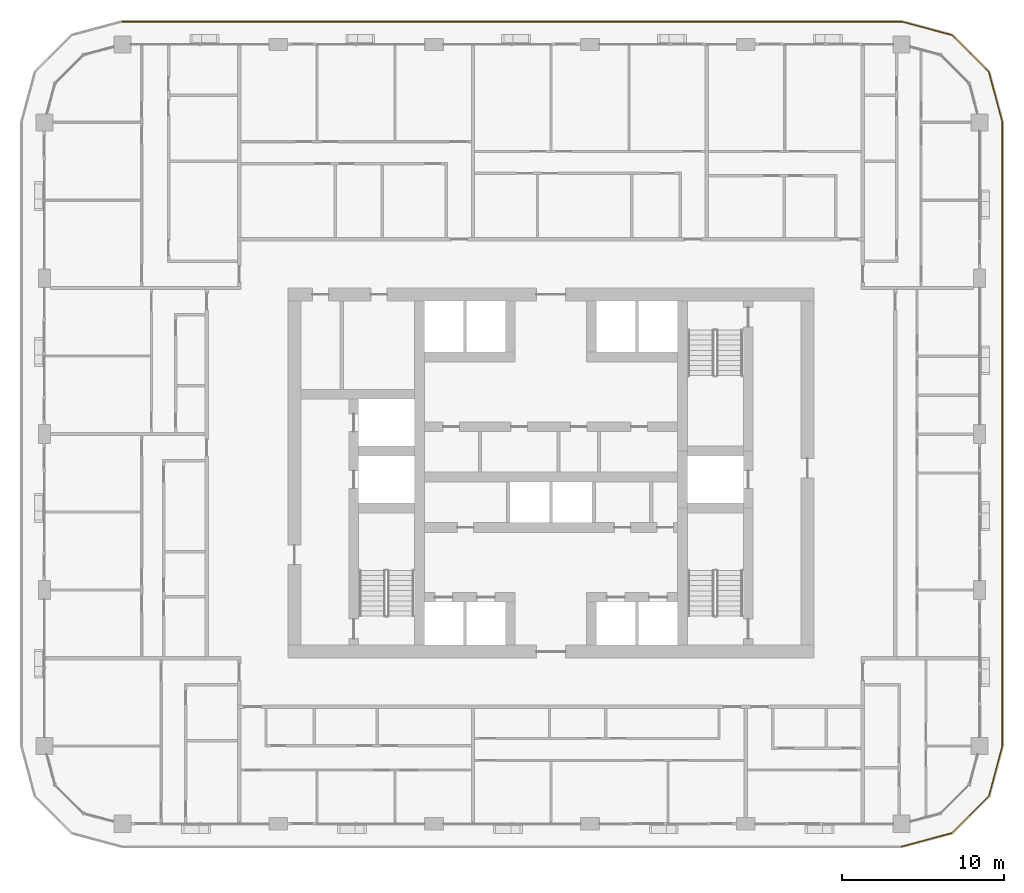
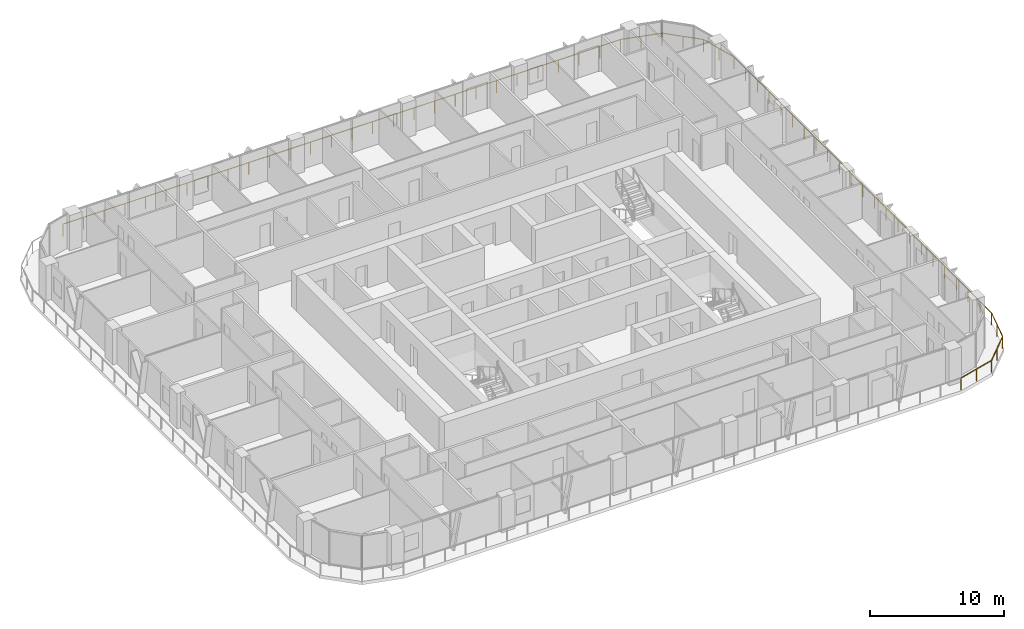
# One storey, part 20 of 22: 1 railing.
"""IFC4 building model written with IfcOpenShell, lengths in metres."""

from ifc_helpers import new_model, si_unit, direction, frame, origin, origin_2d, place, context, subcontext, project, spatial, circle, extrude, material, type_object, element, save


model = new_model("IFC4")

# Units and contexts
model_context = context("Model", 3, precision=1e-05, world=origin(), true_north=direction((0.0, 1.0)))
body_context = subcontext(model_context, "Body", "Model", "MODEL_VIEW")
ifc_project = project(units=[si_unit("LENGTHUNIT", "METRE"), si_unit("AREAUNIT", "SQUARE_METRE"), si_unit("VOLUMEUNIT", "CUBIC_METRE"), si_unit("PLANEANGLEUNIT", "RADIAN"), si_unit("MASSUNIT", "GRAM", prefix="KILO")], contexts=[model_context])

# Site, building, storey
site_placement = place(None, origin())
site = spatial("IfcSite", under=ifc_project, at=site_placement, CompositionType="ELEMENT")
building_placement = place(site_placement, origin())
building = spatial("IfcBuilding", under=site, at=building_placement, Name="Madar Terraces", CompositionType="ELEMENT")
storey_placement = place(building_placement, frame((0.0, 0.0, 126.10009765625)))
storey = spatial("IfcBuildingStorey", under=building, at=storey_placement, Name="L32", CompositionType="ELEMENT", Elevation=126.10009765625)

# Railing
ifc_material = material(Name="Glass, safety glazing, with stainless steel posts", Category="steel")
railing_type = type_object("IfcRailingType", Name="Balcony glass guard 1100", PredefinedType="GUARDRAIL", material=ifc_material)
railing_placement = place(storey_placement, frame((52.800048828125, 3.39990234375, 0.0)))
element("IfcRailing", 1, at=railing_placement, inside=storey, type_object=railing_type, Name="Balcony guard", PredefinedType="GUARDRAIL", context=body_context, shape_type="SweptSolid", body=[
    extrude(circle(Radius=0.02392578125, at=origin_2d()), frame((0.0, 0.0, 1.076171875), z_axis=(0.965909675762, 0.25887931217, 0.0), x_axis=(-0.25887931217, 0.965909675762, 0.0)), (0.0, 0.0, 1.0), 3.209228515625),
    extrude(circle(Radius=0.02392578125, at=origin_2d()), frame((3.099853515625, 0.830810546875, 1.076171875), z_axis=(0.707144815061, 0.707068745266, 0.0), x_axis=(-0.707068745266, 0.707144815061, 0.0)), (0.0, 0.0, 1.0), 3.20947265625),
    extrude(circle(Radius=0.02392578125, at=origin_2d()), frame((5.369384765625, 3.10009765625, 1.076171875), z_axis=(0.258789317819, 0.9659337912, 0.0), x_axis=(-0.9659337912, 0.258789317819, 0.0)), (0.0, 0.0, 1.0), 3.20947265625),
    extrude(circle(Radius=0.02392578125, at=origin_2d()), frame((6.199951171875, 6.2001953125, 1.076171875), z_axis=(0.0, 1.0, 0.0), x_axis=(-1.0, 0.0, 0.0)), (0.0, 0.0, 1.0), 38.39990234375),
    extrude(circle(Radius=0.02392578125, at=origin_2d()), frame((6.199951171875, 44.60009765625, 1.076171875), z_axis=(-0.258789317819, 0.9659337912, 0.0), x_axis=(-0.9659337912, -0.258789317819, 0.0)), (0.0, 0.0, 1.0), 3.20947265625),
    extrude(circle(Radius=0.02392578125, at=origin_2d()), frame((5.369384765625, 47.7001953125, 1.076171875), z_axis=(-0.707144815061, 0.707068745266, 0.0), x_axis=(-0.707068745266, -0.707144815061, 0.0)), (0.0, 0.0, 1.0), 3.20947265625),
    extrude(circle(Radius=0.02392578125, at=origin_2d()), frame((3.099853515625, 49.969482421875, 1.076171875), z_axis=(-0.965928696102, 0.258808334578, 0.0), x_axis=(-0.258808334578, -0.965928696102, 0.0)), (0.0, 0.0, 1.0), 3.209228515625),
    extrude(circle(Radius=0.02392578125, at=origin_2d()), frame((0.0, 50.800048828125, 1.076171875), z_axis=(-1.0, 0.0, 0.0), x_axis=(0.0, -1.0, 0.0)), (0.0, 0.0, 1.0), 48.0),
    extrude(circle(Radius=0.02099609375, at=origin_2d()), origin(), (0.0, 0.0, 1.0), 1.052001953125),
    extrude(circle(Radius=0.02099609375, at=origin_2d()), frame((1.5498046875, 0.41552734375, 0.0)), (0.0, 0.0, 1.0), 1.052001953125),
    extrude(circle(Radius=0.02099609375, at=origin_2d()), frame((3.099853515625, 0.830810546875, 0.0)), (0.0, 0.0, 1.0), 1.052001953125),
    extrude(circle(Radius=0.02099609375, at=origin_2d()), frame((4.234619140625, 1.96533203125, 0.0)), (0.0, 0.0, 1.0), 1.052001953125),
    extrude(circle(Radius=0.02099609375, at=origin_2d()), frame((5.369384765625, 3.10009765625, 0.0)), (0.0, 0.0, 1.0), 1.052001953125),
    extrude(circle(Radius=0.02099609375, at=origin_2d()), frame((5.78466796875, 4.650146484375, 0.0)), (0.0, 0.0, 1.0), 1.052001953125),
    extrude(circle(Radius=0.02099609375, at=origin_2d()), frame((6.199951171875, 6.2001953125, 0.0)), (0.0, 0.0, 1.0), 1.052001953125),
    extrude(circle(Radius=0.02099609375, at=origin_2d()), frame((6.199951171875, 7.945556640625, 0.0)), (0.0, 0.0, 1.0), 1.052001953125),
    extrude(circle(Radius=0.02099609375, at=origin_2d()), frame((6.199951171875, 9.691162109375, 0.0)), (0.0, 0.0, 1.0), 1.052001953125),
    extrude(circle(Radius=0.02099609375, at=origin_2d()), frame((6.199951171875, 11.4365234375, 0.0)), (0.0, 0.0, 1.0), 1.052001953125),
    extrude(circle(Radius=0.02099609375, at=origin_2d()), frame((6.199951171875, 13.181884765625, 0.0)), (0.0, 0.0, 1.0), 1.052001953125),
    extrude(circle(Radius=0.02099609375, at=origin_2d()), frame((6.199951171875, 14.927490234375, 0.0)), (0.0, 0.0, 1.0), 1.052001953125),
    extrude(circle(Radius=0.02099609375, at=origin_2d()), frame((6.199951171875, 16.6728515625, 0.0)), (0.0, 0.0, 1.0), 1.052001953125),
    extrude(circle(Radius=0.02099609375, at=origin_2d()), frame((6.199951171875, 18.41845703125, 0.0)), (0.0, 0.0, 1.0), 1.052001953125),
    extrude(circle(Radius=0.02099609375, at=origin_2d()), frame((6.199951171875, 20.163818359375, 0.0)), (0.0, 0.0, 1.0), 1.052001953125),
    extrude(circle(Radius=0.02099609375, at=origin_2d()), frame((6.199951171875, 21.9091796875, 0.0)), (0.0, 0.0, 1.0), 1.052001953125),
    extrude(circle(Radius=0.02099609375, at=origin_2d()), frame((6.199951171875, 23.65478515625, 0.0)), (0.0, 0.0, 1.0), 1.052001953125),
    extrude(circle(Radius=0.02099609375, at=origin_2d()), frame((6.199951171875, 25.400146484375, 0.0)), (0.0, 0.0, 1.0), 1.052001953125),
    extrude(circle(Radius=0.02099609375, at=origin_2d()), frame((6.199951171875, 27.1455078125, 0.0)), (0.0, 0.0, 1.0), 1.052001953125),
    extrude(circle(Radius=0.02099609375, at=origin_2d()), frame((6.199951171875, 28.89111328125, 0.0)), (0.0, 0.0, 1.0), 1.052001953125),
    extrude(circle(Radius=0.02099609375, at=origin_2d()), frame((6.199951171875, 30.636474609375, 0.0)), (0.0, 0.0, 1.0), 1.052001953125),
    extrude(circle(Radius=0.02099609375, at=origin_2d()), frame((6.199951171875, 32.3818359375, 0.0)), (0.0, 0.0, 1.0), 1.052001953125),
    extrude(circle(Radius=0.02099609375, at=origin_2d()), frame((6.199951171875, 34.12744140625, 0.0)), (0.0, 0.0, 1.0), 1.052001953125),
    extrude(circle(Radius=0.02099609375, at=origin_2d()), frame((6.199951171875, 35.872802734375, 0.0)), (0.0, 0.0, 1.0), 1.052001953125),
    extrude(circle(Radius=0.02099609375, at=origin_2d()), frame((6.199951171875, 37.618408203125, 0.0)), (0.0, 0.0, 1.0), 1.052001953125),
    extrude(circle(Radius=0.02099609375, at=origin_2d()), frame((6.199951171875, 39.36376953125, 0.0)), (0.0, 0.0, 1.0), 1.052001953125),
    extrude(circle(Radius=0.02099609375, at=origin_2d()), frame((6.199951171875, 41.109130859375, 0.0)), (0.0, 0.0, 1.0), 1.052001953125),
    extrude(circle(Radius=0.02099609375, at=origin_2d()), frame((6.199951171875, 42.854736328125, 0.0)), (0.0, 0.0, 1.0), 1.052001953125),
    extrude(circle(Radius=0.02099609375, at=origin_2d()), frame((6.199951171875, 44.60009765625, 0.0)), (0.0, 0.0, 1.0), 1.052001953125),
    extrude(circle(Radius=0.02099609375, at=origin_2d()), frame((5.78466796875, 46.150146484375, 0.0)), (0.0, 0.0, 1.0), 1.052001953125),
    extrude(circle(Radius=0.02099609375, at=origin_2d()), frame((5.369384765625, 47.7001953125, 0.0)), (0.0, 0.0, 1.0), 1.052001953125),
    extrude(circle(Radius=0.02099609375, at=origin_2d()), frame((4.234619140625, 48.8349609375, 0.0)), (0.0, 0.0, 1.0), 1.052001953125),
    extrude(circle(Radius=0.02099609375, at=origin_2d()), frame((3.099853515625, 49.969482421875, 0.0)), (0.0, 0.0, 1.0), 1.052001953125),
    extrude(circle(Radius=0.02099609375, at=origin_2d()), frame((1.5498046875, 50.384765625, 0.0)), (0.0, 0.0, 1.0), 1.052001953125),
    extrude(circle(Radius=0.02099609375, at=origin_2d()), frame((0.0, 50.800048828125, 0.0)), (0.0, 0.0, 1.0), 1.052001953125),
    extrude(circle(Radius=0.02099609375, at=origin_2d()), frame((-1.77783203125, 50.800048828125, 0.0)), (0.0, 0.0, 1.0), 1.052001953125),
    extrude(circle(Radius=0.02099609375, at=origin_2d()), frame((-3.5556640625, 50.800048828125, 0.0)), (0.0, 0.0, 1.0), 1.052001953125),
    extrude(circle(Radius=0.02099609375, at=origin_2d()), frame((-5.333251953125, 50.800048828125, 0.0)), (0.0, 0.0, 1.0), 1.052001953125),
    extrude(circle(Radius=0.02099609375, at=origin_2d()), frame((-7.111083984375, 50.800048828125, 0.0)), (0.0, 0.0, 1.0), 1.052001953125),
    extrude(circle(Radius=0.02099609375, at=origin_2d()), frame((-8.888916015625, 50.800048828125, 0.0)), (0.0, 0.0, 1.0), 1.052001953125),
    extrude(circle(Radius=0.02099609375, at=origin_2d()), frame((-10.666748046875, 50.800048828125, 0.0)), (0.0, 0.0, 1.0), 1.052001953125),
    extrude(circle(Radius=0.02099609375, at=origin_2d()), frame((-12.4443359375, 50.800048828125, 0.0)), (0.0, 0.0, 1.0), 1.052001953125),
    extrude(circle(Radius=0.02099609375, at=origin_2d()), frame((-14.22216796875, 50.800048828125, 0.0)), (0.0, 0.0, 1.0), 1.052001953125),
    extrude(circle(Radius=0.02099609375, at=origin_2d()), frame((-16.0, 50.800048828125, 0.0)), (0.0, 0.0, 1.0), 1.052001953125),
    extrude(circle(Radius=0.02099609375, at=origin_2d()), frame((-17.77783203125, 50.800048828125, 0.0)), (0.0, 0.0, 1.0), 1.052001953125),
    extrude(circle(Radius=0.02099609375, at=origin_2d()), frame((-19.5556640625, 50.800048828125, 0.0)), (0.0, 0.0, 1.0), 1.052001953125),
    extrude(circle(Radius=0.02099609375, at=origin_2d()), frame((-21.333251953125, 50.800048828125, 0.0)), (0.0, 0.0, 1.0), 1.052001953125),
    extrude(circle(Radius=0.02099609375, at=origin_2d()), frame((-23.111083984375, 50.800048828125, 0.0)), (0.0, 0.0, 1.0), 1.052001953125),
    extrude(circle(Radius=0.02099609375, at=origin_2d()), frame((-24.888916015625, 50.800048828125, 0.0)), (0.0, 0.0, 1.0), 1.052001953125),
    extrude(circle(Radius=0.02099609375, at=origin_2d()), frame((-26.666748046875, 50.800048828125, 0.0)), (0.0, 0.0, 1.0), 1.052001953125),
    extrude(circle(Radius=0.02099609375, at=origin_2d()), frame((-28.4443359375, 50.800048828125, 0.0)), (0.0, 0.0, 1.0), 1.052001953125),
    extrude(circle(Radius=0.02099609375, at=origin_2d()), frame((-30.22216796875, 50.800048828125, 0.0)), (0.0, 0.0, 1.0), 1.052001953125),
    extrude(circle(Radius=0.02099609375, at=origin_2d()), frame((-32.0, 50.800048828125, 0.0)), (0.0, 0.0, 1.0), 1.052001953125),
    extrude(circle(Radius=0.02099609375, at=origin_2d()), frame((-33.77783203125, 50.800048828125, 0.0)), (0.0, 0.0, 1.0), 1.052001953125),
    extrude(circle(Radius=0.02099609375, at=origin_2d()), frame((-35.5556640625, 50.800048828125, 0.0)), (0.0, 0.0, 1.0), 1.052001953125),
    extrude(circle(Radius=0.02099609375, at=origin_2d()), frame((-37.333251953125, 50.800048828125, 0.0)), (0.0, 0.0, 1.0), 1.052001953125),
    extrude(circle(Radius=0.02099609375, at=origin_2d()), frame((-39.111083984375, 50.800048828125, 0.0)), (0.0, 0.0, 1.0), 1.052001953125),
    extrude(circle(Radius=0.02099609375, at=origin_2d()), frame((-40.888916015625, 50.800048828125, 0.0)), (0.0, 0.0, 1.0), 1.052001953125),
    extrude(circle(Radius=0.02099609375, at=origin_2d()), frame((-42.666748046875, 50.800048828125, 0.0)), (0.0, 0.0, 1.0), 1.052001953125),
    extrude(circle(Radius=0.02099609375, at=origin_2d()), frame((-44.4443359375, 50.800048828125, 0.0)), (0.0, 0.0, 1.0), 1.052001953125),
    extrude(circle(Radius=0.02099609375, at=origin_2d()), frame((-46.22216796875, 50.800048828125, 0.0)), (0.0, 0.0, 1.0), 1.052001953125),
    extrude(circle(Radius=0.02099609375, at=origin_2d()), frame((-48.0, 50.800048828125, 0.0)), (0.0, 0.0, 1.0), 1.052001953125),
])

save(model, "model.ifc")
